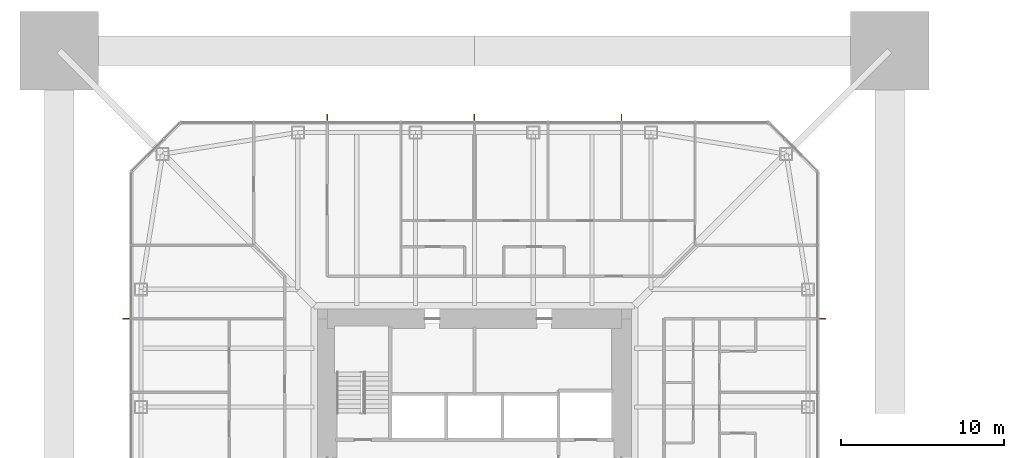
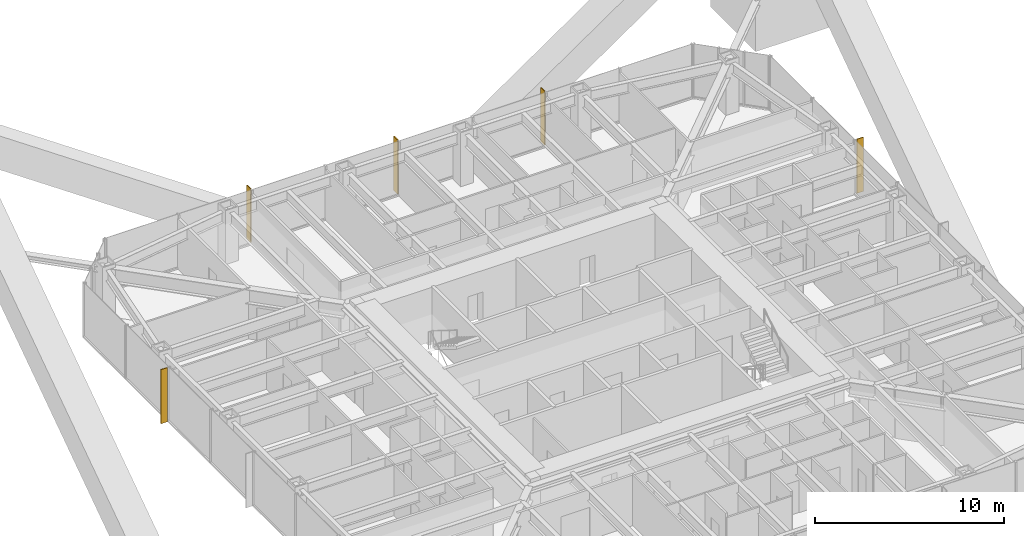
# One storey, part 17 of 17: 5 shading devices.
"""IFC4 building model written with IfcOpenShell, lengths in metres."""

from ifc_helpers import new_model, si_unit, direction, frame, origin, origin_2d, place, context, subcontext, project, spatial, rectangle, extrude, material, layer, layer_set, type_object, element, save


model = new_model("IFC4")

# Units and contexts
model_context = context("Model", 3, precision=1e-05, world=origin(), true_north=direction((0.0, 1.0)))
body_context = subcontext(model_context, "Body", "Model", "MODEL_VIEW")
ifc_project = project(units=[si_unit("LENGTHUNIT", "METRE"), si_unit("AREAUNIT", "SQUARE_METRE"), si_unit("VOLUMEUNIT", "CUBIC_METRE"), si_unit("PLANEANGLEUNIT", "RADIAN"), si_unit("MASSUNIT", "GRAM", prefix="KILO")], contexts=[model_context])

# Site, building, storey
site_placement = place(None, origin())
site = spatial("IfcSite", under=ifc_project, at=site_placement, CompositionType="ELEMENT")
building_placement = place(site_placement, origin())
building = spatial("IfcBuilding", under=site, at=building_placement, Name="Iwan Alto Co-Living Towers", CompositionType="ELEMENT")
storey_placement = place(building_placement, frame((0.0, 0.0, 133.0)))
storey = spatial("IfcBuildingStorey", under=building, at=storey_placement, Name="L36", CompositionType="ELEMENT", Elevation=133.0)

# Shading devices
ifc_material = material(Name="Aluminium 6063-T6 bronze anodised", Category="aluminium")
ifc_layer = layer(ifc_material, 0.050048828125)
ifc_layer_set = layer_set([ifc_layer], Name="BRONZE FIN 50X400")
shading_device_type = type_object("IfcShadingDeviceType", Name="BRONZE FIN 50X400", PredefinedType="USERDEFINED", material=ifc_layer_set)
for number, where, z_axis, x_axis, name in (
    (1, (21.300048828125, 9.0, 0.0), (0.0, 0.0, 1.0), (0.0, 1.0, 0.0), "Bronze fin L36"),
    (2, (9.0, 21.300048828125, 0.0), (0.0, 0.0, 1.0), (-1.0, 0.0, 0.0), "Bronze fin L36"),
    (3, (0.0, 21.300048828125, 0.0), (0.0, 0.0, 1.0), (-1.0, 0.0, 0.0), "Bronze fin L36"),
    (4, (-9.0, 21.300048828125, 0.0), (0.0, 0.0, 1.0), (-1.0, 0.0, 0.0), "Bronze fin L36"),
    (5, (-21.300048828125, 9.0, 0.0), (0.0, 0.0, 1.0), (0.0, -1.0, 0.0), "Bronze fin L36"),
):
    element("IfcShadingDevice", number, at=place(storey_placement, frame(where, z_axis=z_axis, x_axis=x_axis)), inside=storey, type_object=shading_device_type, Name=name, ObjectType="LOUVER", PredefinedType="USERDEFINED", context=body_context, shape_type="SweptSolid", body=[
        extrude(rectangle(XDim=0.050048828125, YDim=0.39990234375, at=origin_2d()), origin(), (0.0, 0.0, 1.0), 3.5),
    ])

save(model, "model.ifc")
